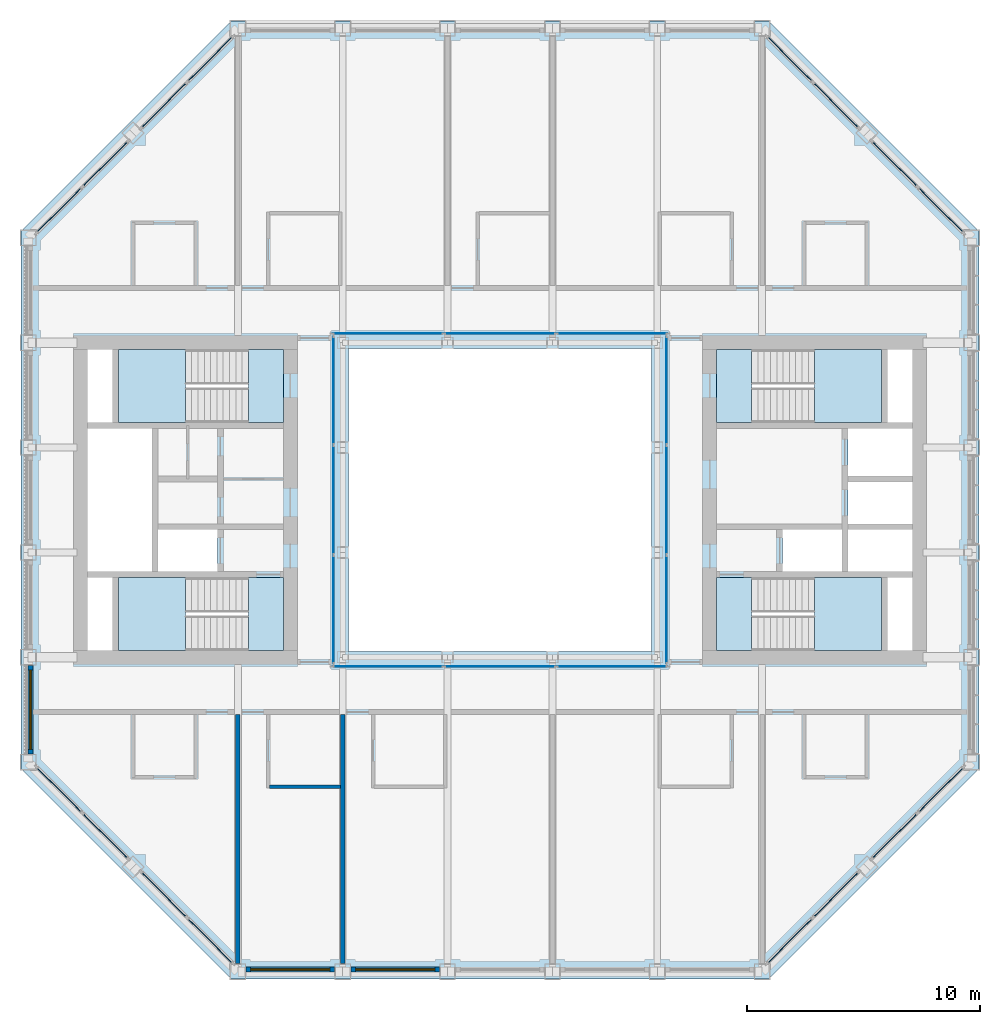
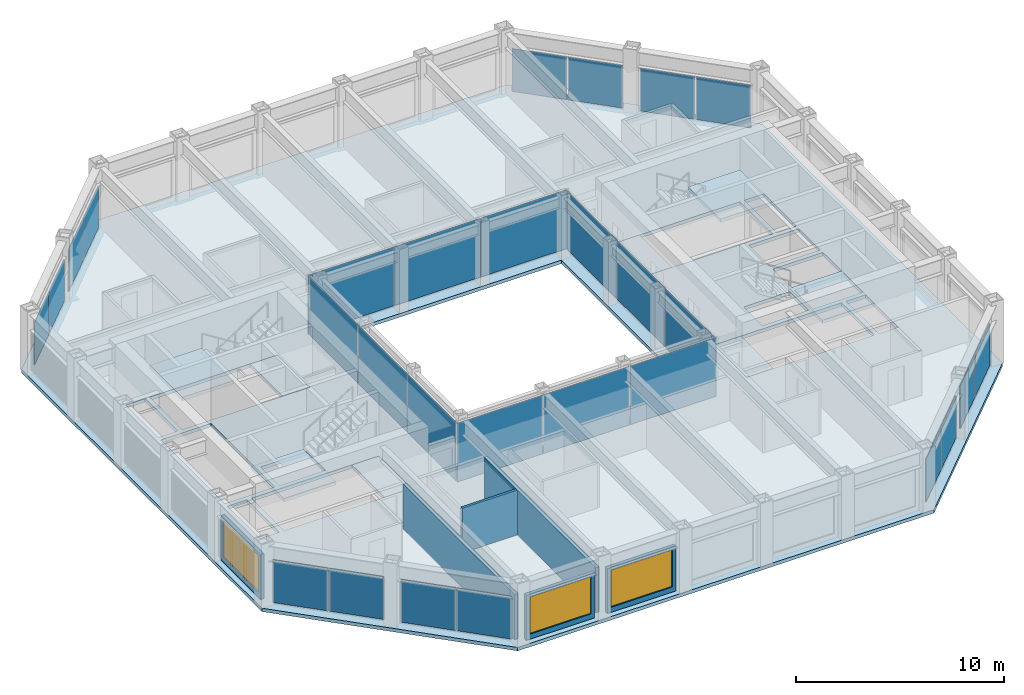
# One storey, part 8 of 16: 28 plates, 9 slabs, 6 walls, 3 windows, 3 openings, 16 elements without a shape of their own.
"""IFC4 building model written with IfcOpenShell, lengths in metres."""

from ifc_helpers import new_model, si_unit, direction, frame, frame_2d, origin, origin_2d, place, context, subcontext, project, spatial, polyline, rectangle, outline, extrude, material, layer, layer_set, type_object, element, fill, aggregate, save


model = new_model("IFC4")

# Units and contexts
model_context = context("Model", 3, precision=1e-05, world=origin(), true_north=direction((0.0, 1.0)))
body_context = subcontext(model_context, "Body", "Model", "MODEL_VIEW")
ifc_project = project(units=[si_unit("LENGTHUNIT", "METRE"), si_unit("AREAUNIT", "SQUARE_METRE"), si_unit("VOLUMEUNIT", "CUBIC_METRE"), si_unit("PLANEANGLEUNIT", "RADIAN"), si_unit("MASSUNIT", "GRAM", prefix="KILO")], contexts=[model_context])

# Site, building, storey
site_placement = place(None, origin())
site = spatial("IfcSite", under=ifc_project, at=site_placement, CompositionType="ELEMENT")
building_placement = place(site_placement, origin())
building = spatial("IfcBuilding", under=site, at=building_placement, Name="Msasa Ring Tower", CompositionType="ELEMENT")
storey_placement = place(building_placement, frame((0.0, 0.0, 212.050048828125)))
storey = spatial("IfcBuildingStorey", under=building, at=storey_placement, Name="L55", CompositionType="ELEMENT", Elevation=212.050048828125)

# Curtain wall, plates
ifc_material_1 = material(Name="Aluminium curtain wall with clear glass", Category="aluminium")
curtain_wall_type_1 = type_object("IfcCurtainWallType", Name="CW-C CHAMFER CORNER CURTAIN WALL", PredefinedType="NOTDEFINED", material=ifc_material_1)
curtain_wall_1_placement = place(storey_placement, origin())
curtain_wall_1 = element("IfcCurtainWall", 1, at=curtain_wall_1_placement, inside=storey, type_object=curtain_wall_type_1, Name="Chamfer corner curtain wall SE L55", PredefinedType="NOTDEFINED")
ifc_material_2 = material(Name="Clear laminated insulating glass unit", Category="glass")
ifc_layer_1 = layer(ifc_material_2, 0.031982421875)
ifc_layer_set_1 = layer_set([ifc_layer_1], Name="CW-C GLASS PANEL 32")
plate_type_1 = type_object("IfcPlateType", Name="CW-C GLASS PANEL 32", PredefinedType="CURTAIN_PANEL", material=ifc_layer_set_1)
plate_1_placement = place(storey_placement, frame((12.44140625, -18.917236328125, 0.06494140625), z_axis=(0.0, 0.0, 1.0), x_axis=(0.707106781187, 0.707106781187, 0.0)))
plate_1 = element("IfcPlate", 2, at=plate_1_placement, type_object=plate_type_1, Name="CW-C panel 1.1", PredefinedType="CURTAIN_PANEL", context=body_context, shape_type="SweptSolid", body=[
    extrude(rectangle(XDim=2.7294921875, YDim=0.031982421875, at=origin_2d()), origin(), (0.0, 0.0, 1.0), 2.4990234375),
])
plate_2_placement = place(storey_placement, frame((14.417236328125, -16.94140625, 0.06494140625), z_axis=(0.0, 0.0, 1.0), x_axis=(0.707106781187, 0.707106781187, 0.0)))
plate_2 = element("IfcPlate", 3, at=plate_2_placement, type_object=plate_type_1, Name="CW-C panel 2.1", PredefinedType="CURTAIN_PANEL", context=body_context, shape_type="SweptSolid", body=[
    extrude(rectangle(XDim=2.7294921875, YDim=0.031982421875, at=origin_2d()), origin(), (0.0, 0.0, 1.0), 2.4990234375),
])
aggregate(curtain_wall_1, [plate_1, plate_2])

curtain_wall_2_placement = place(storey_placement, origin())
curtain_wall_2 = element("IfcCurtainWall", 4, at=curtain_wall_2_placement, inside=storey, type_object=curtain_wall_type_1, Name="Chamfer corner curtain wall SE L55", PredefinedType="NOTDEFINED")
plate_3_placement = place(storey_placement, frame((16.94140625, -14.417236328125, 0.06494140625), z_axis=(0.0, 0.0, 1.0), x_axis=(0.707106781187, 0.707106781187, 0.0)))
plate_3 = element("IfcPlate", 5, at=plate_3_placement, type_object=plate_type_1, Name="CW-C panel 1.1", PredefinedType="CURTAIN_PANEL", context=body_context, shape_type="SweptSolid", body=[
    extrude(rectangle(XDim=2.7294921875, YDim=0.031982421875, at=origin_2d()), origin(), (0.0, 0.0, 1.0), 2.4990234375),
])
plate_4_placement = place(storey_placement, frame((18.917236328125, -12.44140625, 0.06494140625), z_axis=(0.0, 0.0, 1.0), x_axis=(0.707106781187, 0.707106781187, 0.0)))
plate_4 = element("IfcPlate", 6, at=plate_4_placement, type_object=plate_type_1, Name="CW-C panel 2.1", PredefinedType="CURTAIN_PANEL", context=body_context, shape_type="SweptSolid", body=[
    extrude(rectangle(XDim=2.7294921875, YDim=0.031982421875, at=origin_2d()), origin(), (0.0, 0.0, 1.0), 2.4990234375),
])
aggregate(curtain_wall_2, [plate_3, plate_4])

curtain_wall_3_placement = place(storey_placement, origin())
curtain_wall_3 = element("IfcCurtainWall", 7, at=curtain_wall_3_placement, inside=storey, type_object=curtain_wall_type_1, Name="Chamfer corner curtain wall NE L55", PredefinedType="NOTDEFINED")
plate_5_placement = place(storey_placement, frame((14.417236328125, 16.94140625, 0.06494140625), z_axis=(0.0, 0.0, 1.0), x_axis=(-0.707106781187, 0.707106781187, 0.0)))
plate_5 = element("IfcPlate", 8, at=plate_5_placement, type_object=plate_type_1, Name="CW-C panel 1.1", PredefinedType="CURTAIN_PANEL", context=body_context, shape_type="SweptSolid", body=[
    extrude(rectangle(XDim=2.7294921875, YDim=0.031982421875, at=origin_2d()), origin(), (0.0, 0.0, 1.0), 2.4990234375),
])
plate_6_placement = place(storey_placement, frame((12.44140625, 18.917236328125, 0.06494140625), z_axis=(0.0, 0.0, 1.0), x_axis=(-0.707106781187, 0.707106781187, 0.0)))
plate_6 = element("IfcPlate", 9, at=plate_6_placement, type_object=plate_type_1, Name="CW-C panel 2.1", PredefinedType="CURTAIN_PANEL", context=body_context, shape_type="SweptSolid", body=[
    extrude(rectangle(XDim=2.7294921875, YDim=0.031982421875, at=origin_2d()), origin(), (0.0, 0.0, 1.0), 2.4990234375),
])
aggregate(curtain_wall_3, [plate_5, plate_6])

curtain_wall_4_placement = place(storey_placement, origin())
curtain_wall_4 = element("IfcCurtainWall", 10, at=curtain_wall_4_placement, inside=storey, type_object=curtain_wall_type_1, Name="Chamfer corner curtain wall NE L55", PredefinedType="NOTDEFINED")
plate_7_placement = place(storey_placement, frame((18.917236328125, 12.44140625, 0.06494140625), z_axis=(0.0, 0.0, 1.0), x_axis=(-0.707106781187, 0.707106781187, 0.0)))
plate_7 = element("IfcPlate", 11, at=plate_7_placement, type_object=plate_type_1, Name="CW-C panel 1.1", PredefinedType="CURTAIN_PANEL", context=body_context, shape_type="SweptSolid", body=[
    extrude(rectangle(XDim=2.7294921875, YDim=0.031982421875, at=origin_2d()), origin(), (0.0, 0.0, 1.0), 2.4990234375),
])
plate_8_placement = place(storey_placement, frame((16.94140625, 14.417236328125, 0.06494140625), z_axis=(0.0, 0.0, 1.0), x_axis=(-0.707106781187, 0.707106781187, 0.0)))
plate_8 = element("IfcPlate", 12, at=plate_8_placement, type_object=plate_type_1, Name="CW-C panel 2.1", PredefinedType="CURTAIN_PANEL", context=body_context, shape_type="SweptSolid", body=[
    extrude(rectangle(XDim=2.7294921875, YDim=0.031982421875, at=origin_2d()), origin(), (0.0, 0.0, 1.0), 2.4990234375),
])
aggregate(curtain_wall_4, [plate_7, plate_8])

curtain_wall_5_placement = place(storey_placement, origin())
curtain_wall_5 = element("IfcCurtainWall", 13, at=curtain_wall_5_placement, inside=storey, type_object=curtain_wall_type_1, Name="Chamfer corner curtain wall NW L55", PredefinedType="NOTDEFINED")
plate_9_placement = place(storey_placement, frame((-16.94140625, 14.417236328125, 0.06494140625), z_axis=(0.0, 0.0, 1.0), x_axis=(-0.707106781187, -0.707106781187, 0.0)))
plate_9 = element("IfcPlate", 14, at=plate_9_placement, type_object=plate_type_1, Name="CW-C panel 1.1", PredefinedType="CURTAIN_PANEL", context=body_context, shape_type="SweptSolid", body=[
    extrude(rectangle(XDim=2.7294921875, YDim=0.031982421875, at=origin_2d()), origin(), (0.0, 0.0, 1.0), 2.4990234375),
])
plate_10_placement = place(storey_placement, frame((-18.917236328125, 12.44140625, 0.06494140625), z_axis=(0.0, 0.0, 1.0), x_axis=(-0.707106781187, -0.707106781187, 0.0)))
plate_10 = element("IfcPlate", 15, at=plate_10_placement, type_object=plate_type_1, Name="CW-C panel 2.1", PredefinedType="CURTAIN_PANEL", context=body_context, shape_type="SweptSolid", body=[
    extrude(rectangle(XDim=2.7294921875, YDim=0.031982421875, at=origin_2d()), origin(), (0.0, 0.0, 1.0), 2.4990234375),
])
aggregate(curtain_wall_5, [plate_9, plate_10])

curtain_wall_6_placement = place(storey_placement, origin())
curtain_wall_6 = element("IfcCurtainWall", 16, at=curtain_wall_6_placement, inside=storey, type_object=curtain_wall_type_1, Name="Chamfer corner curtain wall NW L55", PredefinedType="NOTDEFINED")
plate_11_placement = place(storey_placement, frame((-12.44140625, 18.917236328125, 0.06494140625), z_axis=(0.0, 0.0, 1.0), x_axis=(-0.707106781187, -0.707106781187, 0.0)))
plate_11 = element("IfcPlate", 17, at=plate_11_placement, type_object=plate_type_1, Name="CW-C panel 1.1", PredefinedType="CURTAIN_PANEL", context=body_context, shape_type="SweptSolid", body=[
    extrude(rectangle(XDim=2.7294921875, YDim=0.031982421875, at=origin_2d()), origin(), (0.0, 0.0, 1.0), 2.4990234375),
])
plate_12_placement = place(storey_placement, frame((-14.417236328125, 16.94140625, 0.06494140625), z_axis=(0.0, 0.0, 1.0), x_axis=(-0.707106781187, -0.707106781187, 0.0)))
plate_12 = element("IfcPlate", 18, at=plate_12_placement, type_object=plate_type_1, Name="CW-C panel 2.1", PredefinedType="CURTAIN_PANEL", context=body_context, shape_type="SweptSolid", body=[
    extrude(rectangle(XDim=2.7294921875, YDim=0.031982421875, at=origin_2d()), origin(), (0.0, 0.0, 1.0), 2.4990234375),
])
aggregate(curtain_wall_6, [plate_11, plate_12])

curtain_wall_7_placement = place(storey_placement, origin())
curtain_wall_7 = element("IfcCurtainWall", 19, at=curtain_wall_7_placement, inside=storey, type_object=curtain_wall_type_1, Name="Chamfer corner curtain wall SW L55", PredefinedType="NOTDEFINED")
plate_13_placement = place(storey_placement, frame((-18.917236328125, -12.44140625, 0.06494140625), z_axis=(0.0, 0.0, 1.0), x_axis=(0.707106781187, -0.707106781187, 0.0)))
plate_13 = element("IfcPlate", 20, at=plate_13_placement, type_object=plate_type_1, Name="CW-C panel 1.1", PredefinedType="CURTAIN_PANEL", context=body_context, shape_type="SweptSolid", body=[
    extrude(rectangle(XDim=2.7294921875, YDim=0.031982421875, at=origin_2d()), origin(), (0.0, 0.0, 1.0), 2.4990234375),
])
plate_14_placement = place(storey_placement, frame((-16.94140625, -14.417236328125, 0.06494140625), z_axis=(0.0, 0.0, 1.0), x_axis=(0.707106781187, -0.707106781187, 0.0)))
plate_14 = element("IfcPlate", 21, at=plate_14_placement, type_object=plate_type_1, Name="CW-C panel 2.1", PredefinedType="CURTAIN_PANEL", context=body_context, shape_type="SweptSolid", body=[
    extrude(rectangle(XDim=2.7294921875, YDim=0.031982421875, at=origin_2d()), origin(), (0.0, 0.0, 1.0), 2.4990234375),
])
aggregate(curtain_wall_7, [plate_13, plate_14])

curtain_wall_8_placement = place(storey_placement, origin())
curtain_wall_8 = element("IfcCurtainWall", 22, at=curtain_wall_8_placement, inside=storey, type_object=curtain_wall_type_1, Name="Chamfer corner curtain wall SW L55", PredefinedType="NOTDEFINED")
plate_15_placement = place(storey_placement, frame((-14.417236328125, -16.94140625, 0.06494140625), z_axis=(0.0, 0.0, 1.0), x_axis=(0.707106781187, -0.707106781187, 0.0)))
plate_15 = element("IfcPlate", 23, at=plate_15_placement, type_object=plate_type_1, Name="CW-C panel 1.1", PredefinedType="CURTAIN_PANEL", context=body_context, shape_type="SweptSolid", body=[
    extrude(rectangle(XDim=2.7294921875, YDim=0.031982421875, at=origin_2d()), origin(), (0.0, 0.0, 1.0), 2.4990234375),
])
plate_16_placement = place(storey_placement, frame((-12.44140625, -18.917236328125, 0.06494140625), z_axis=(0.0, 0.0, 1.0), x_axis=(0.707106781187, -0.707106781187, 0.0)))
plate_16 = element("IfcPlate", 24, at=plate_16_placement, type_object=plate_type_1, Name="CW-C panel 2.1", PredefinedType="CURTAIN_PANEL", context=body_context, shape_type="SweptSolid", body=[
    extrude(rectangle(XDim=2.7294921875, YDim=0.031982421875, at=origin_2d()), origin(), (0.0, 0.0, 1.0), 2.4990234375),
])
aggregate(curtain_wall_8, [plate_15, plate_16])

ifc_material_3 = material(Name="Aluminium curtain wall with clear glass", Category="aluminium")
curtain_wall_type_2 = type_object("IfcCurtainWallType", Name="CW-W LIGHT WELL CURTAIN WALL", PredefinedType="NOTDEFINED", material=ifc_material_3)
curtain_wall_9_placement = place(storey_placement, origin())
curtain_wall_9 = element("IfcCurtainWall", 25, at=curtain_wall_9_placement, inside=storey, type_object=curtain_wall_type_2, Name="Light well curtain wall N L55", PredefinedType="NOTDEFINED")
ifc_material_4 = material(Name="Clear laminated insulating glass unit", Category="glass")
ifc_layer_2 = layer(ifc_material_4, 0.028076171875)
ifc_layer_set_2 = layer_set([ifc_layer_2], Name="CW-W GLASS PANEL 28")
plate_type_2 = type_object("IfcPlateType", Name="CW-W GLASS PANEL 28", PredefinedType="CURTAIN_PANEL", material=ifc_layer_set_2)
plate_17_placement = place(storey_placement, frame((-4.804931640625, 7.14990234375, 0.06005859375), z_axis=(0.0, 0.0, 1.0), x_axis=(1.0, 0.0, 0.0)))
plate_17 = element("IfcPlate", 26, at=plate_17_placement, type_object=plate_type_2, Name="CW-W panel 1.1", PredefinedType="CURTAIN_PANEL", context=body_context, shape_type="SweptSolid", body=[
    extrude(rectangle(XDim=4.72998046875, YDim=0.028076171875, at=origin_2d()), origin(), (0.0, 0.0, 1.0), 3.429931640625),
])
plate_18_placement = place(storey_placement, frame((0.0, 7.14990234375, 0.06005859375), z_axis=(0.0, 0.0, 1.0), x_axis=(1.0, 0.0, 0.0)))
plate_18 = element("IfcPlate", 27, at=plate_18_placement, type_object=plate_type_2, Name="CW-W panel 2.1", PredefinedType="CURTAIN_PANEL", context=body_context, shape_type="SweptSolid", body=[
    extrude(rectangle(XDim=4.760009765625, YDim=0.028076171875, at=origin_2d()), origin(), (0.0, 0.0, 1.0), 3.429931640625),
])
plate_19_placement = place(storey_placement, frame((4.804931640625, 7.14990234375, 0.06005859375), z_axis=(0.0, 0.0, 1.0), x_axis=(1.0, 0.0, 0.0)))
plate_19 = element("IfcPlate", 28, at=plate_19_placement, type_object=plate_type_2, Name="CW-W panel 3.1", PredefinedType="CURTAIN_PANEL", context=body_context, shape_type="SweptSolid", body=[
    extrude(rectangle(XDim=4.72998046875, YDim=0.028076171875, at=origin_2d()), origin(), (0.0, 0.0, 1.0), 3.429931640625),
])
aggregate(curtain_wall_9, [plate_17, plate_18, plate_19])

curtain_wall_10_placement = place(storey_placement, origin())
curtain_wall_10 = element("IfcCurtainWall", 29, at=curtain_wall_10_placement, inside=storey, type_object=curtain_wall_type_2, Name="Light well curtain wall S L55", PredefinedType="NOTDEFINED")
plate_20_placement = place(storey_placement, frame((-4.804931640625, -7.14990234375, 0.06005859375), z_axis=(0.0, 0.0, 1.0), x_axis=(1.0, 0.0, 0.0)))
plate_20 = element("IfcPlate", 30, at=plate_20_placement, type_object=plate_type_2, Name="CW-W panel 1.1", PredefinedType="CURTAIN_PANEL", context=body_context, shape_type="SweptSolid", body=[
    extrude(rectangle(XDim=4.72998046875, YDim=0.028076171875, at=origin_2d()), origin(), (0.0, 0.0, 1.0), 3.429931640625),
])
plate_21_placement = place(storey_placement, frame((0.0, -7.14990234375, 0.06005859375), z_axis=(0.0, 0.0, 1.0), x_axis=(1.0, 0.0, 0.0)))
plate_21 = element("IfcPlate", 31, at=plate_21_placement, type_object=plate_type_2, Name="CW-W panel 2.1", PredefinedType="CURTAIN_PANEL", context=body_context, shape_type="SweptSolid", body=[
    extrude(rectangle(XDim=4.760009765625, YDim=0.028076171875, at=origin_2d()), origin(), (0.0, 0.0, 1.0), 3.429931640625),
])
plate_22_placement = place(storey_placement, frame((4.804931640625, -7.14990234375, 0.06005859375), z_axis=(0.0, 0.0, 1.0), x_axis=(1.0, 0.0, 0.0)))
plate_22 = element("IfcPlate", 32, at=plate_22_placement, type_object=plate_type_2, Name="CW-W panel 3.1", PredefinedType="CURTAIN_PANEL", context=body_context, shape_type="SweptSolid", body=[
    extrude(rectangle(XDim=4.72998046875, YDim=0.028076171875, at=origin_2d()), origin(), (0.0, 0.0, 1.0), 3.429931640625),
])
aggregate(curtain_wall_10, [plate_20, plate_21, plate_22])

curtain_wall_11_placement = place(storey_placement, origin())
curtain_wall_11 = element("IfcCurtainWall", 33, at=curtain_wall_11_placement, inside=storey, type_object=curtain_wall_type_2, Name="Light well curtain wall E L55", PredefinedType="NOTDEFINED")
plate_23_placement = place(storey_placement, frame((7.14990234375, -4.6982421875, 0.06005859375), z_axis=(0.0, 0.0, 1.0), x_axis=(0.0, 1.0, 0.0)))
plate_23 = element("IfcPlate", 34, at=plate_23_placement, type_object=plate_type_2, Name="CW-W panel 1.1", PredefinedType="CURTAIN_PANEL", context=body_context, shape_type="SweptSolid", body=[
    extrude(rectangle(XDim=4.623291015625, YDim=0.028076171875, at=origin_2d()), origin(), (0.0, 0.0, 1.0), 3.429931640625),
])
plate_24_placement = place(storey_placement, frame((7.14990234375, 0.0, 0.06005859375), z_axis=(0.0, 0.0, 1.0), x_axis=(0.0, 1.0, 0.0)))
plate_24 = element("IfcPlate", 35, at=plate_24_placement, type_object=plate_type_2, Name="CW-W panel 2.1", PredefinedType="CURTAIN_PANEL", context=body_context, shape_type="SweptSolid", body=[
    extrude(rectangle(XDim=4.6533203125, YDim=0.028076171875, at=origin_2d()), origin(), (0.0, 0.0, 1.0), 3.429931640625),
])
plate_25_placement = place(storey_placement, frame((7.14990234375, 4.6982421875, 0.06005859375), z_axis=(0.0, 0.0, 1.0), x_axis=(0.0, 1.0, 0.0)))
plate_25 = element("IfcPlate", 36, at=plate_25_placement, type_object=plate_type_2, Name="CW-W panel 3.1", PredefinedType="CURTAIN_PANEL", context=body_context, shape_type="SweptSolid", body=[
    extrude(rectangle(XDim=4.623291015625, YDim=0.028076171875, at=origin_2d()), origin(), (0.0, 0.0, 1.0), 3.429931640625),
])
aggregate(curtain_wall_11, [plate_23, plate_24, plate_25])

curtain_wall_12_placement = place(storey_placement, origin())
curtain_wall_12 = element("IfcCurtainWall", 37, at=curtain_wall_12_placement, inside=storey, type_object=curtain_wall_type_2, Name="Light well curtain wall W L55", PredefinedType="NOTDEFINED")
plate_26_placement = place(storey_placement, frame((-7.14990234375, -4.6982421875, 0.06005859375), z_axis=(0.0, 0.0, 1.0), x_axis=(0.0, 1.0, 0.0)))
plate_26 = element("IfcPlate", 38, at=plate_26_placement, type_object=plate_type_2, Name="CW-W panel 1.1", PredefinedType="CURTAIN_PANEL", context=body_context, shape_type="SweptSolid", body=[
    extrude(rectangle(XDim=4.623291015625, YDim=0.028076171875, at=origin_2d()), origin(), (0.0, 0.0, 1.0), 3.429931640625),
])
plate_27_placement = place(storey_placement, frame((-7.14990234375, 0.0, 0.06005859375), z_axis=(0.0, 0.0, 1.0), x_axis=(0.0, 1.0, 0.0)))
plate_27 = element("IfcPlate", 39, at=plate_27_placement, type_object=plate_type_2, Name="CW-W panel 2.1", PredefinedType="CURTAIN_PANEL", context=body_context, shape_type="SweptSolid", body=[
    extrude(rectangle(XDim=4.6533203125, YDim=0.028076171875, at=origin_2d()), origin(), (0.0, 0.0, 1.0), 3.429931640625),
])
plate_28_placement = place(storey_placement, frame((-7.14990234375, 4.6982421875, 0.06005859375), z_axis=(0.0, 0.0, 1.0), x_axis=(0.0, 1.0, 0.0)))
plate_28 = element("IfcPlate", 40, at=plate_28_placement, type_object=plate_type_2, Name="CW-W panel 3.1", PredefinedType="CURTAIN_PANEL", context=body_context, shape_type="SweptSolid", body=[
    extrude(rectangle(XDim=4.623291015625, YDim=0.028076171875, at=origin_2d()), origin(), (0.0, 0.0, 1.0), 3.429931640625),
])
aggregate(curtain_wall_12, [plate_26, plate_27, plate_28])

# Stair, slabs
ifc_material_5 = material(Name="Concrete C40/50", Category="concrete")
stair_type = type_object("IfcStairType", Name="STC CORE STAIR 22 RISERS 170.5", PredefinedType="HALF_TURN_STAIR", material=ifc_material_5)
stair_1_placement = place(storey_placement, origin())
stair_1 = element("IfcStair", 41, at=stair_1_placement, inside=storey, type_object=stair_type, Name="Core stair SEA L55", PredefinedType="HALF_TURN_STAIR")
ifc_material_6 = material(Name="Concrete C40/50", Category="concrete")
ifc_layer_3 = layer(ifc_material_6, 0.199951171875)
ifc_layer_set_3 = layer_set([ifc_layer_3], Name="LD1 CORE STAIR LANDING 200")
slab_type_1 = type_object("IfcSlabType", Name="LD1 CORE STAIR LANDING 200", PredefinedType="LANDING", material=ifc_layer_set_3)
slab_1_placement = place(storey_placement, frame((0.0, 0.0, -0.199951171875)))
slab_1 = element("IfcSlab", 42, at=slab_1_placement, type_object=slab_type_1, Name="SEA landing 1", PredefinedType="LANDING", context=body_context, shape_type="SweptSolid", body=[
    extrude(outline(polyline([(9.300048828125, -6.449951171875), (10.800048828125, -6.449951171875), (10.800048828125, -3.324951171875), (9.300048828125, -3.324951171875), (9.300048828125, -6.449951171875)])), origin(), (0.0, 0.0, 1.0), 0.199951171875),
])
slab_2_placement = place(storey_placement, frame((0.0, 0.0, 1.675048828125)))
slab_2 = element("IfcSlab", 43, at=slab_2_placement, type_object=slab_type_1, Name="SEA landing 2", PredefinedType="LANDING", context=body_context, shape_type="SweptSolid", body=[
    extrude(outline(polyline([(13.5, -6.449951171875), (16.375, -6.449951171875), (16.375, -3.324951171875), (13.5, -3.324951171875), (13.5, -6.449951171875)])), origin(), (0.0, 0.0, 1.0), 0.199951171875),
])
aggregate(stair_1, [slab_1, slab_2])

stair_2_placement = place(storey_placement, origin())
stair_2 = element("IfcStair", 44, at=stair_2_placement, inside=storey, type_object=stair_type, Name="Core stair SEB L55", PredefinedType="HALF_TURN_STAIR")
slab_3_placement = place(storey_placement, frame((0.0, 0.0, -0.199951171875)))
slab_3 = element("IfcSlab", 45, at=slab_3_placement, type_object=slab_type_1, Name="SEB landing 1", PredefinedType="LANDING", context=body_context, shape_type="SweptSolid", body=[
    extrude(outline(polyline([(9.300048828125, 3.324951171875), (10.800048828125, 3.324951171875), (10.800048828125, 6.449951171875), (9.300048828125, 6.449951171875), (9.300048828125, 3.324951171875)])), origin(), (0.0, 0.0, 1.0), 0.199951171875),
])
slab_4_placement = place(storey_placement, frame((0.0, 0.0, 1.675048828125)))
slab_4 = element("IfcSlab", 46, at=slab_4_placement, type_object=slab_type_1, Name="SEB landing 2", PredefinedType="LANDING", context=body_context, shape_type="SweptSolid", body=[
    extrude(outline(polyline([(13.5, 3.324951171875), (16.375, 3.324951171875), (16.375, 6.449951171875), (13.5, 6.449951171875), (13.5, 3.324951171875)])), origin(), (0.0, 0.0, 1.0), 0.199951171875),
])
aggregate(stair_2, [slab_3, slab_4])

stair_3_placement = place(storey_placement, origin())
stair_3 = element("IfcStair", 47, at=stair_3_placement, inside=storey, type_object=stair_type, Name="Core stair SWA L55", PredefinedType="HALF_TURN_STAIR")
slab_5_placement = place(storey_placement, frame((0.0, 0.0, -0.199951171875)))
slab_5 = element("IfcSlab", 48, at=slab_5_placement, type_object=slab_type_1, Name="SWA landing 1", PredefinedType="LANDING", context=body_context, shape_type="SweptSolid", body=[
    extrude(outline(polyline([(-10.800048828125, -6.449951171875), (-9.300048828125, -6.449951171875), (-9.300048828125, -3.324951171875), (-10.800048828125, -3.324951171875), (-10.800048828125, -6.449951171875)])), origin(), (0.0, 0.0, 1.0), 0.199951171875),
])
slab_6_placement = place(storey_placement, frame((0.0, 0.0, 1.675048828125)))
slab_6 = element("IfcSlab", 49, at=slab_6_placement, type_object=slab_type_1, Name="SWA landing 2", PredefinedType="LANDING", context=body_context, shape_type="SweptSolid", body=[
    extrude(outline(polyline([(-16.375, -6.449951171875), (-13.5, -6.449951171875), (-13.5, -3.324951171875), (-16.375, -3.324951171875), (-16.375, -6.449951171875)])), origin(), (0.0, 0.0, 1.0), 0.199951171875),
])
aggregate(stair_3, [slab_5, slab_6])

stair_4_placement = place(storey_placement, origin())
stair_4 = element("IfcStair", 50, at=stair_4_placement, inside=storey, type_object=stair_type, Name="Core stair SWB L55", PredefinedType="HALF_TURN_STAIR")
slab_7_placement = place(storey_placement, frame((0.0, 0.0, -0.199951171875)))
slab_7 = element("IfcSlab", 51, at=slab_7_placement, type_object=slab_type_1, Name="SWB landing 1", PredefinedType="LANDING", context=body_context, shape_type="SweptSolid", body=[
    extrude(outline(polyline([(-10.800048828125, 3.324951171875), (-9.300048828125, 3.324951171875), (-9.300048828125, 6.449951171875), (-10.800048828125, 6.449951171875), (-10.800048828125, 3.324951171875)])), origin(), (0.0, 0.0, 1.0), 0.199951171875),
])
slab_8_placement = place(storey_placement, frame((0.0, 0.0, 1.675048828125)))
slab_8 = element("IfcSlab", 52, at=slab_8_placement, type_object=slab_type_1, Name="SWB landing 2", PredefinedType="LANDING", context=body_context, shape_type="SweptSolid", body=[
    extrude(outline(polyline([(-16.375, 3.324951171875), (-13.5, 3.324951171875), (-13.5, 6.449951171875), (-16.375, 6.449951171875), (-16.375, 3.324951171875)])), origin(), (0.0, 0.0, 1.0), 0.199951171875),
])
aggregate(stair_4, [slab_7, slab_8])

# Slab
ifc_material_7 = material(Name="Concrete C40/50", Category="concrete")
ifc_layer_4 = layer(ifc_material_7, 0.199951171875)
ifc_layer_set_4 = layer_set([ifc_layer_4], Name="S8 SUITE FLOOR 200")
slab_type_2 = type_object("IfcSlabType", Name="S8 SUITE FLOOR 200", PredefinedType="FLOOR", material=ifc_layer_set_4)
slab_9_placement = place(storey_placement, frame((0.0, 0.0, -0.199951171875)))
element("IfcSlab", 53, at=slab_9_placement, inside=storey, type_object=slab_type_2, Name="Floor slab L55", PredefinedType="FLOOR", context=body_context, shape_type="SweptSolid", body=[
    extrude(outline(polyline([(-11.550048828125, -20.550048828125), (11.550048828125, -20.550048828125), (20.550048828125, -11.550048828125), (20.550048828125, 11.550048828125), (11.550048828125, 20.550048828125), (-11.550048828125, 20.550048828125), (-20.550048828125, 11.550048828125), (-20.550048828125, -11.550048828125), (-11.550048828125, -20.550048828125)]), holes=[polyline([(-6.5, -6.5), (6.5, -6.5), (6.5, 6.5), (-6.5, 6.5), (-6.5, -6.5)]), polyline([(9.300048828125, -6.449951171875), (16.375, -6.449951171875), (16.375, -3.324951171875), (9.300048828125, -3.324951171875), (9.300048828125, -6.449951171875)]), polyline([(9.300048828125, 3.324951171875), (16.375, 3.324951171875), (16.375, 6.449951171875), (9.300048828125, 6.449951171875), (9.300048828125, 3.324951171875)]), polyline([(12.125, -3.074951171875), (14.675048828125, -3.074951171875), (14.675048828125, -1.27490234375), (12.125, -1.27490234375), (12.125, -3.074951171875)]), polyline([(16.625, -6.449951171875), (17.699951171875, -6.449951171875), (17.699951171875, -3.324951171875), (16.625, -3.324951171875), (16.625, -6.449951171875)]), polyline([(16.625, 3.324951171875), (17.699951171875, 3.324951171875), (17.699951171875, 6.449951171875), (16.625, 6.449951171875), (16.625, 3.324951171875)]), polyline([(14.925048828125, -3.074951171875), (17.699951171875, -3.074951171875), (17.699951171875, -1.27490234375), (14.925048828125, -1.27490234375), (14.925048828125, -3.074951171875)]), polyline([(14.925048828125, -1.02490234375), (17.699951171875, -1.02490234375), (17.699951171875, 0.77490234375), (14.925048828125, 0.77490234375), (14.925048828125, -1.02490234375)]), polyline([(14.925048828125, 1.02490234375), (17.699951171875, 1.02490234375), (17.699951171875, 3.074951171875), (14.925048828125, 3.074951171875), (14.925048828125, 1.02490234375)]), polyline([(-16.375, -6.449951171875), (-9.300048828125, -6.449951171875), (-9.300048828125, -3.324951171875), (-16.375, -3.324951171875), (-16.375, -6.449951171875)]), polyline([(-16.375, 3.324951171875), (-9.300048828125, 3.324951171875), (-9.300048828125, 6.449951171875), (-16.375, 6.449951171875), (-16.375, 3.324951171875)]), polyline([(-14.675048828125, -3.074951171875), (-12.125, -3.074951171875), (-12.125, -1.27490234375), (-14.675048828125, -1.27490234375), (-14.675048828125, -3.074951171875)]), polyline([(-17.699951171875, -6.449951171875), (-16.625, -6.449951171875), (-16.625, -3.324951171875), (-17.699951171875, -3.324951171875), (-17.699951171875, -6.449951171875)]), polyline([(-17.699951171875, 3.324951171875), (-16.625, 3.324951171875), (-16.625, 6.449951171875), (-17.699951171875, 6.449951171875), (-17.699951171875, 3.324951171875)]), polyline([(-17.699951171875, -3.074951171875), (-14.925048828125, -3.074951171875), (-14.925048828125, 3.074951171875), (-17.699951171875, 3.074951171875), (-17.699951171875, -3.074951171875)])]), origin(), (0.0, 0.0, 1.0), 0.199951171875),
])

# Wall, opening, window
ifc_material_8 = material(Name="Terracotta rainscreen on blockwork", Category="masonry")
ifc_layer_5 = layer(ifc_material_8, 0.199951171875)
ifc_layer_set_5 = layer_set([ifc_layer_5], Name="FW1 TERRACOTTA-LINED INFILL BAY WALL 200")
wall_type_1 = type_object("IfcWallType", Name="FW1 TERRACOTTA-LINED INFILL BAY WALL 200", PredefinedType="SOLIDWALL", material=ifc_layer_set_5)
wall_1_placement = place(storey_placement, frame((-10.89501953125, -20.14990234375, 0.0), z_axis=(0.0, 0.0, 1.0), x_axis=(1.0, 0.0, 0.0)))
wall_1 = element("IfcWall", 54, at=wall_1_placement, inside=storey, type_object=wall_type_1, Name="Infill bay wall S L55 00", PredefinedType="SOLIDWALL", context=body_context, shape_type="SweptSolid", body=[
    extrude(rectangle(XDim=3.7900390625, YDim=0.199951171875, at=frame_2d((1.89501953125, 0.0))), origin(), (0.0, 0.0, 1.0), 2.62890625),
])
opening_1_placement = place(wall_1_placement, frame((0.195068359375, 0.0, 0.300048828125)))
opening_1 = element("IfcOpeningElement", 55, at=opening_1_placement, cuts=wall_1, Name="Opening WN3", PredefinedType="OPENING", context=body_context, shape_type="SweptSolid", body=[
    extrude(rectangle(XDim=3.39990234375, YDim=2.178955078125, at=frame_2d((1.699951171875, 1.08935546875))), frame((0.0, 0.10986328125, 0.0), z_axis=(0.0, -1.0, 0.0), x_axis=(1.0, 0.0, 0.0)), (0.0, 0.0, 1.0), 0.219970703125),
])
ifc_material_9 = material(Name="Aluminium frame with clear glass", Category="aluminium")
window_type = type_object("IfcWindowType", Name="WN3 SUITE WINDOW 3400x2179", PartitioningType="SINGLE_PANEL", PredefinedType="WINDOW", material=ifc_material_9)
window_1_placement = place(opening_1_placement, origin())
window_1 = element("IfcWindow", 56, at=window_1_placement, inside=storey, type_object=window_type, Name="Window S L55 00", OverallHeight=2.178955078125, OverallWidth=3.39990234375, PartitioningType="SINGLE_PANEL", PredefinedType="WINDOW", context=body_context, shape_type="SweptSolid", body=[
    extrude(rectangle(XDim=3.39990234375, YDim=2.178955078125, at=frame_2d((1.699951171875, 1.08935546875))), frame((0.0, 0.030029296875, 0.0), z_axis=(0.0, -1.0, 0.0), x_axis=(1.0, 0.0, 0.0)), (0.0, 0.0, 1.0), 0.06005859375),
])
fill(opening_1, window_1)

wall_2_placement = place(storey_placement, frame((-6.39501953125, -20.14990234375, 0.0), z_axis=(0.0, 0.0, 1.0), x_axis=(1.0, 0.0, 0.0)))
wall_2 = element("IfcWall", 57, at=wall_2_placement, inside=storey, type_object=wall_type_1, Name="Infill bay wall S L55 01", PredefinedType="SOLIDWALL", context=body_context, shape_type="SweptSolid", body=[
    extrude(rectangle(XDim=3.7900390625, YDim=0.199951171875, at=frame_2d((1.89501953125, 0.0))), origin(), (0.0, 0.0, 1.0), 2.62890625),
])
opening_2_placement = place(wall_2_placement, frame((0.195068359375, 0.0, 0.300048828125)))
opening_2 = element("IfcOpeningElement", 58, at=opening_2_placement, cuts=wall_2, Name="Opening WN3", PredefinedType="OPENING", context=body_context, shape_type="SweptSolid", body=[
    extrude(rectangle(XDim=3.39990234375, YDim=2.178955078125, at=frame_2d((1.699951171875, 1.08935546875))), frame((0.0, 0.10986328125, 0.0), z_axis=(0.0, -1.0, 0.0), x_axis=(1.0, 0.0, 0.0)), (0.0, 0.0, 1.0), 0.219970703125),
])
window_2_placement = place(opening_2_placement, origin())
window_2 = element("IfcWindow", 59, at=window_2_placement, inside=storey, type_object=window_type, Name="Window S L55 01", OverallHeight=2.178955078125, OverallWidth=3.39990234375, PartitioningType="SINGLE_PANEL", PredefinedType="WINDOW", context=body_context, shape_type="SweptSolid", body=[
    extrude(rectangle(XDim=3.39990234375, YDim=2.178955078125, at=frame_2d((1.699951171875, 1.08935546875))), frame((0.0, 0.030029296875, 0.0), z_axis=(0.0, -1.0, 0.0), x_axis=(1.0, 0.0, 0.0)), (0.0, 0.0, 1.0), 0.06005859375),
])
fill(opening_2, window_2)

wall_3_placement = place(storey_placement, frame((-20.14990234375, -10.89501953125, 0.0), z_axis=(0.0, 0.0, 1.0), x_axis=(0.0, 1.0, 0.0)))
wall_3 = element("IfcWall", 60, at=wall_3_placement, inside=storey, type_object=wall_type_1, Name="Infill bay wall W L55 21", PredefinedType="SOLIDWALL", context=body_context, shape_type="SweptSolid", body=[
    extrude(rectangle(XDim=3.7900390625, YDim=0.199951171875, at=frame_2d((1.89501953125, 0.0))), origin(), (0.0, 0.0, 1.0), 2.62890625),
])
opening_3_placement = place(wall_3_placement, frame((0.195068359375, 0.0, 0.300048828125)))
opening_3 = element("IfcOpeningElement", 61, at=opening_3_placement, cuts=wall_3, Name="Opening WN3", PredefinedType="OPENING", context=body_context, shape_type="SweptSolid", body=[
    extrude(rectangle(XDim=3.39990234375, YDim=2.178955078125, at=frame_2d((1.699951171875, 1.08935546875))), frame((0.0, 0.10986328125, 0.0), z_axis=(0.0, -1.0, 0.0), x_axis=(1.0, 0.0, 0.0)), (0.0, 0.0, 1.0), 0.219970703125),
])
window_3_placement = place(opening_3_placement, origin())
window_3 = element("IfcWindow", 62, at=window_3_placement, inside=storey, type_object=window_type, Name="Window W L55 21", OverallHeight=2.178955078125, OverallWidth=3.39990234375, PartitioningType="SINGLE_PANEL", PredefinedType="WINDOW", context=body_context, shape_type="SweptSolid", body=[
    extrude(rectangle(XDim=3.39990234375, YDim=2.178955078125, at=frame_2d((1.699951171875, 1.08935546875))), frame((0.0, 0.030029296875, 0.0), z_axis=(0.0, -1.0, 0.0), x_axis=(1.0, 0.0, 0.0)), (0.0, 0.0, 1.0), 0.06005859375),
])
fill(opening_3, window_3)

# Walls
ifc_material_10 = material(Name="Dense concrete blockwork, plastered both faces", Category="masonry")
ifc_layer_6 = layer(ifc_material_10, 0.25)
ifc_layer_set_6 = layer_set([ifc_layer_6], Name="PT3 APARTMENT SEPARATING WALL 250")
wall_type_2 = type_object("IfcWallType", Name="PT3 APARTMENT SEPARATING WALL 250", PredefinedType="PARTITIONING", material=ifc_layer_set_6)
for number, where, z_axis, x_axis, name in (
    (63, (-11.25, -19.89990234375, 0.0), (0.0, 0.0, 1.0), (0.0, 1.0, 0.0), "Party wall L55-PWS-11.25"),
    (64, (-6.75, -19.89990234375, 0.0), (0.0, 0.0, 1.0), (0.0, 1.0, 0.0), "Party wall L55-PWS-6.75"),
):
    element("IfcWall", number, at=place(storey_placement, frame(where, z_axis=z_axis, x_axis=x_axis)), inside=storey, type_object=wall_type_2, Name=name, PredefinedType="PARTITIONING", context=body_context, shape_type="SweptSolid", body=[
        extrude(rectangle(XDim=10.699951171875, YDim=0.199951171875, at=frame_2d((5.35009765625, 0.0))), origin(), (0.0, 0.0, 1.0), 2.62890625),
    ])
ifc_material_11 = material(Name="Moisture-resistant board on steel studs with a concealed cistern and pipe void, tiled", Category="steel")
ifc_layer_7 = layer(ifc_material_11, 0.14990234375)
ifc_layer_set_7 = layer_set([ifc_layer_7], Name="PT4 BATHROOM WET WALL 150")
wall_type_3 = type_object("IfcWallType", Name="PT4 BATHROOM WET WALL 150", PredefinedType="PARTITIONING", material=ifc_layer_set_7)
wall_4_placement = place(storey_placement, frame((-9.89990234375, -12.300048828125, 0.0), z_axis=(0.0, 0.0, 1.0), x_axis=(1.0, 0.0, 0.0)))
element("IfcWall", 65, at=wall_4_placement, inside=storey, type_object=wall_type_3, Name="Partition L55-JS00BY", PredefinedType="PARTITIONING", context=body_context, shape_type="SweptSolid", body=[
    extrude(rectangle(XDim=3.0498046875, YDim=0.14990234375, at=frame_2d((1.52490234375, 0.0))), origin(), (0.0, 0.0, 1.0), 2.62890625),
])

save(model, "model.ifc")
